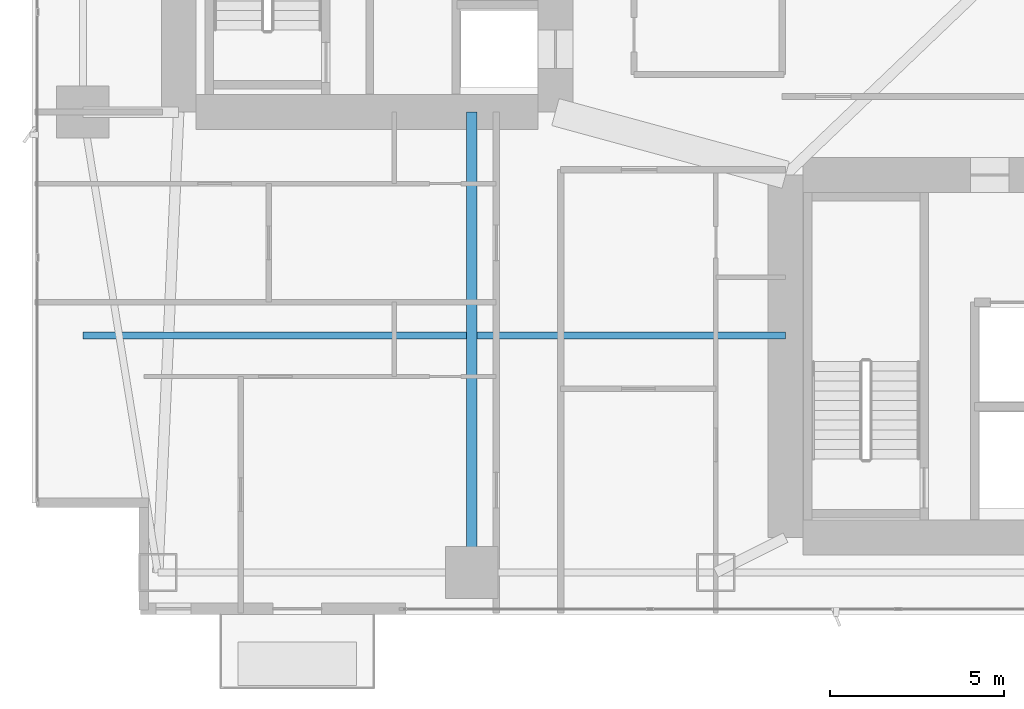
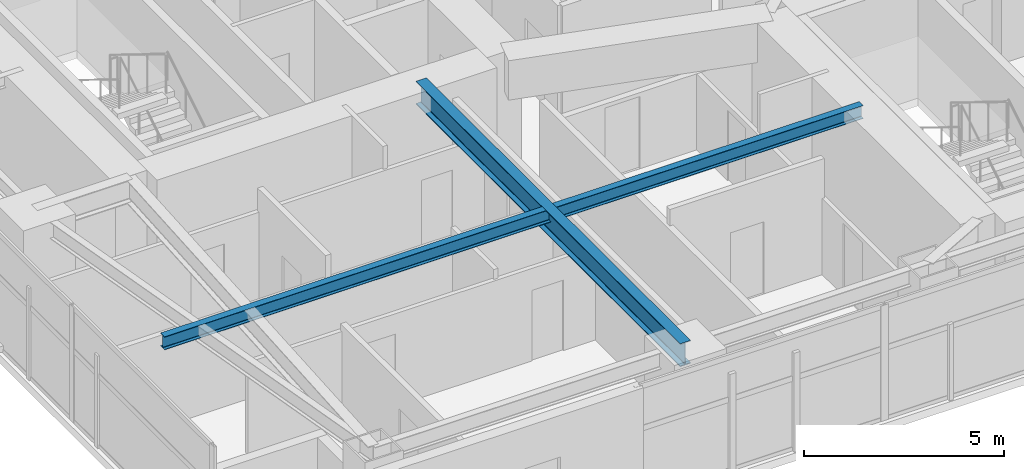
# One storey, part 4 of 28: 2 beams.
"""IFC4 building model written with IfcOpenShell, lengths in metres."""

import ifcopenshell
import ifcopenshell.guid

model = None  # the IFC model being written
_history = None  # IfcOwnerHistory: only IFC2X3 demands one
_inside = {}  # id of a spatial element -> (the spatial element, [elements in it])
_under = {}  # id of a project, library or spatial element -> (it, [spatial elements below it])
_declared = {}  # id of a project -> (the project, [libraries it declares])
_typed = {}  # id of a type object -> (the type object, [elements of that type])
_made_of = {}  # id of a material, layer set ... -> (it, [elements and type objects made of it])


def new_model(schema):
    """Start an empty IFC model of exactly this schema.

    Asked for "IFC4X3", IfcOpenShell would pick the latest addendum, in which some entities
    have other attributes; the version numbers below select the first issue.
    IFC2X3 requires an IfcOwnerHistory on every rooted entity: one is made here for all.
    """
    global model, _history
    if schema == "IFC4X3":
        model = ifcopenshell.file(schema_version=(4, 3, 0, 0))
    else:
        model = ifcopenshell.file(schema=schema)
    _inside.clear()
    _under.clear()
    _declared.clear()
    _typed.clear()
    _made_of.clear()
    _history = None
    if model.schema == "IFC2X3":
        org = make("IfcOrganization", Name="unknown")
        user = make(
            "IfcPersonAndOrganization",
            ThePerson=make("IfcPerson", FamilyName="unknown"),
            TheOrganization=org,
        )
        app = make(
            "IfcApplication",
            ApplicationDeveloper=org,
            Version="unknown",
            ApplicationFullName="unknown",
            ApplicationIdentifier="unknown",
        )
        _history = make(
            "IfcOwnerHistory",
            OwningUser=user,
            OwningApplication=app,
            ChangeAction="ADDED",
            CreationDate=0,
        )
    return model


def make(cls, **values):
    """One entity of the class cls with the attributes given. An attribute that is None is left unset."""
    return model.create_entity(
        cls, **{name: value for name, value in values.items() if value is not None}
    )


def rooted(cls, **values):
    """An entity with a GlobalId (a new one), such as an element, a storey or a relation."""
    return make(cls, GlobalId=ifcopenshell.guid.new(), OwnerHistory=_history, **values)


def si_unit(unit_type, name, prefix=None):
    """IfcSIUnit, for example si_unit("LENGTHUNIT", "METRE", prefix="MILLI")."""
    return make("IfcSIUnit", UnitType=unit_type, Prefix=prefix, Name=name)


def assignment(units):
    """IfcUnitAssignment: the units of a project."""
    return None if units is None else make("IfcUnitAssignment", Units=units)


def point(xyz):
    """IfcCartesianPoint."""
    return None if xyz is None else make("IfcCartesianPoint", Coordinates=xyz)


def direction(xyz):
    """IfcDirection."""
    return None if xyz is None else make("IfcDirection", DirectionRatios=xyz)


def frame(location, z_axis=None, x_axis=None):
    """IfcAxis2Placement3D, a coordinate frame: its origin and axes. An axis left out is left unset."""
    return make(
        "IfcAxis2Placement3D",
        Location=point(location),
        Axis=direction(z_axis),
        RefDirection=direction(x_axis),
    )


def frame_2d(location, x_axis=None):
    """IfcAxis2Placement2D, a coordinate frame in the plane: its origin and x axis."""
    return make(
        "IfcAxis2Placement2D", Location=point(location), RefDirection=direction(x_axis)
    )


def origin():
    """The frame at (0, 0, 0) with its axes left unset."""
    return frame((0.0, 0.0, 0.0))


def origin_2d():
    """The frame at (0, 0) in the plane with its x axis left unset."""
    return frame_2d((0.0, 0.0))


def place(relative_to, where):
    """IfcLocalPlacement: puts the frame where relative to a parent placement (None: the world)."""
    return make(
        "IfcLocalPlacement", PlacementRelTo=relative_to, RelativePlacement=where
    )


def context(
    kind, dimensions, precision=None, world=None, true_north=None, identifier=None
):
    """IfcGeometricRepresentationContext, for example the 3D "Model" context."""
    return make(
        "IfcGeometricRepresentationContext",
        ContextIdentifier=identifier,
        ContextType=kind,
        CoordinateSpaceDimension=dimensions,
        Precision=precision,
        WorldCoordinateSystem=world,
        TrueNorth=true_north,
    )


def subcontext(parent, identifier, kind, view, scale=None):
    """IfcGeometricRepresentationSubContext, for example "Body" below "Model"."""
    return make(
        "IfcGeometricRepresentationSubContext",
        ContextIdentifier=identifier,
        ContextType=kind,
        ParentContext=parent,
        TargetScale=scale,
        TargetView=view,
    )


def project(units=None, contexts=None):
    """IfcProject with its units and contexts."""
    return rooted(
        "IfcProject",
        Name="project",
        RepresentationContexts=contexts,
        UnitsInContext=assignment(units),
    )


def spatial(cls, under=None, at=None, **own):
    """A site, building, storey or space (cls), placed at a placement, below another one or the project."""
    s = rooted(cls, ObjectPlacement=at, **own)
    if under is not None:
        _under.setdefault(under.id(), (under, []))[1].append(s)
    return s


def profile(cls, at=None, kind="AREA", **sizes):
    """A parametric profile (cls). Its sizes go by their IFC names, for example OverallWidth=200.0."""
    return make(cls, ProfileType=kind, Position=at, **sizes)


def i_section(**sizes):
    """IfcIShapeProfileDef."""
    return profile("IfcIShapeProfileDef", **sizes)


def extrude(swept, where, along, depth):
    """IfcExtrudedAreaSolid: the profile swept, set in the frame where, extruded along a direction by depth."""
    return make(
        "IfcExtrudedAreaSolid",
        SweptArea=swept,
        Position=where,
        ExtrudedDirection=direction(along),
        Depth=depth,
    )


def shape(context_of_items, identifier, shape_type, items):
    """IfcShapeRepresentation: the items that make up one representation, for example the "Body"."""
    return make(
        "IfcShapeRepresentation",
        ContextOfItems=context_of_items,
        RepresentationIdentifier=identifier,
        RepresentationType=shape_type,
        Items=items,
    )


def material(Name=None, Category=None):
    """IfcMaterial."""
    return make("IfcMaterial", Name=Name, Category=Category)


def material_profile(
    of_material, cross_section, Name=None, Category=None, Priority=None
):
    """IfcMaterialProfile: a cross section and its material."""
    return make(
        "IfcMaterialProfile",
        Name=Name,
        Material=of_material,
        Profile=cross_section,
        Priority=Priority,
        Category=Category,
    )


def profile_set(profiles, Name=None, composite=None):
    """IfcMaterialProfileSet."""
    return make(
        "IfcMaterialProfileSet",
        Name=Name,
        MaterialProfiles=profiles,
        CompositeProfile=composite,
    )


def made_of(thing, what):
    """Note that an element or type object is made of a material, layer set ...; save() writes the relation."""
    if what is not None:
        _made_of.setdefault(what.id(), (what, []))[1].append(thing)
    return thing


def type_object(cls, material=None, **own):
    """A type object (cls), such as IfcWallType, which elements share."""
    return made_of(rooted(cls, **own), material)


def element(
    cls,
    number,
    at=None,
    inside=None,
    cuts=None,
    type_object=None,
    material=None,
    context=None,
    identifier="Body",
    shape_type=None,
    held_by="IfcProductDefinitionShape",
    body=None,
    shapes=None,
    **own,
):
    """One element of the class cls, such as IfcWall. Its Tag is "e" and its number.

    at: its placement. inside: the storey or other place that contains it. cuts: it is an
    opening in that element (IfcRelVoidsElement). A single representation is given by context,
    identifier, shape_type and body (its items); several are given by shapes. held_by: the class
    of the entity that holds the representations. save() writes the other relations.
    """
    e = rooted(cls, Tag="e%d" % number, ObjectPlacement=at, **own)
    if body is not None:
        shapes = [shape(context, identifier, shape_type, body)]
    if shapes is not None:
        e.Representation = make(held_by, Representations=shapes)
    if inside is not None:
        _inside.setdefault(inside.id(), (inside, []))[1].append(e)
    if cuts is not None:
        rooted(
            "IfcRelVoidsElement", RelatingBuildingElement=cuts, RelatedOpeningElement=e
        )
    if type_object is not None:
        _typed.setdefault(type_object.id(), (type_object, []))[1].append(e)
    return made_of(e, material)


def aggregate(whole, parts):
    """IfcRelAggregates: a whole, such as a stair, and the parts it consists of."""
    return rooted("IfcRelAggregates", RelatingObject=whole, RelatedObjects=parts)


def save(model, path):
    """Write the relations noted so far, then the file.

    IfcRelAggregates (storeys below a building ...), IfcRelContainedInSpatialStructure (elements
    in a storey), IfcRelDefinesByType, IfcRelAssociatesMaterial and IfcRelDeclares: one each for
    every whole, place, type object, material and project.
    """
    for whole, parts in _under.values():
        aggregate(whole, parts)
    for where, things in _inside.values():
        rooted(
            "IfcRelContainedInSpatialStructure",
            RelatedElements=things,
            RelatingStructure=where,
        )
    for kind, things in _typed.values():
        rooted("IfcRelDefinesByType", RelatedObjects=things, RelatingType=kind)
    for what, things in _made_of.values():
        rooted("IfcRelAssociatesMaterial", RelatedObjects=things, RelatingMaterial=what)
    for by, libraries in _declared.values():
        rooted("IfcRelDeclares", RelatingContext=by, RelatedDefinitions=libraries)
    model.write(path)


model = new_model("IFC4")

# Units and contexts
model_context = context("Model", 3, precision=1e-05, world=origin(), true_north=direction((0.0, 1.0)))
body_context = subcontext(model_context, "Body", "Model", "MODEL_VIEW")
ifc_project = project(units=[si_unit("LENGTHUNIT", "METRE"), si_unit("AREAUNIT", "SQUARE_METRE"), si_unit("VOLUMEUNIT", "CUBIC_METRE"), si_unit("PLANEANGLEUNIT", "RADIAN"), si_unit("MASSUNIT", "GRAM", prefix="KILO")], contexts=[model_context])

# Site, building, storey
site_placement = place(None, origin())
site = spatial("IfcSite", under=ifc_project, at=site_placement, CompositionType="ELEMENT")
building_placement = place(site_placement, origin())
building = spatial("IfcBuilding", under=site, at=building_placement, Name="Calvorn Quay Hotel", CompositionType="ELEMENT")
storey_placement = place(building_placement, frame((0.0, 0.0, 42.199951171875)))
storey = spatial("IfcBuildingStorey", under=building, at=storey_placement, Name="L09", CompositionType="ELEMENT", Elevation=42.199951171875)

# Beams
ifc_material_1 = material(Name="Steel Q390GJC", Category="steel")
ifc_material_profile_1 = material_profile(ifc_material_1, i_section(OverallWidth=0.300048828125, OverallDepth=0.699951171875, WebThickness=0.012939453125, FlangeThickness=0.02392578125, FilletRadius=0.02392578125, at=origin_2d()), Name="HN700x300x13x24")
ifc_profile_set_1 = profile_set([ifc_material_profile_1], Name="Steel Q390GJC")
beam_type_1 = type_object("IfcBeamType", Name="BM-GIRD-MAIN", PredefinedType="BEAM", material=ifc_profile_set_1)
beam_1_placement = place(storey_placement, frame((12.60009765625, 3.60009765625, 3.170166015625), z_axis=(0.0, 1.0, 0.0), x_axis=(-1.0, 0.0, 0.0)))
element("IfcBeam", 1, at=beam_1_placement, inside=storey, type_object=beam_type_1, Name="Beam BG-L09-S1", PredefinedType="BEAM", context=body_context, shape_type="SweptSolid", body=[
    extrude(i_section(OverallWidth=0.300048828125, OverallDepth=0.699951171875, WebThickness=0.012939453125, FlangeThickness=0.02392578125, FilletRadius=0.02392578125, at=origin_2d()), origin(), (0.0, 0.0, 1.0), 13.199951171875),
])
ifc_material_2 = material(Name="Steel Q355B", Category="steel")
ifc_material_profile_2 = material_profile(ifc_material_2, i_section(OverallWidth=0.199951171875, OverallDepth=0.39990234375, WebThickness=0.008056640625, FlangeThickness=0.012939453125, FilletRadius=0.01611328125, at=origin_2d()), Name="HN400x200x8x13")
ifc_profile_set_2 = profile_set([ifc_material_profile_2], Name="Steel Q355B")
beam_type_2 = type_object("IfcBeamType", Name="BM-JOIST-TYP", PredefinedType="JOIST", material=ifc_profile_set_2)
beam_2_placement = place(storey_placement, frame((1.449951171875, 10.39990234375, 3.320068359375), z_axis=(1.0, 0.0, 0.0), x_axis=(0.0, 1.0, 0.0)))
element("IfcBeam", 2, at=beam_2_placement, inside=storey, type_object=beam_type_2, Name="Beam BJ-L09-W1", PredefinedType="JOIST", context=body_context, shape_type="SweptSolid", body=[
    extrude(i_section(OverallWidth=0.199951171875, OverallDepth=0.39990234375, WebThickness=0.008056640625, FlangeThickness=0.012939453125, FilletRadius=0.01611328125, at=origin_2d()), origin(), (0.0, 0.0, 1.0), 20.150146484375),
])

save(model, "model.ifc")
